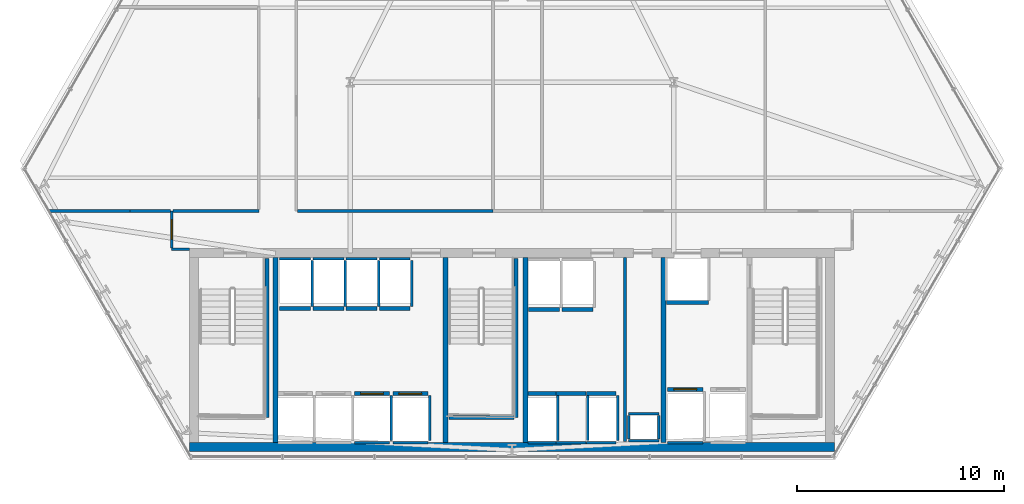
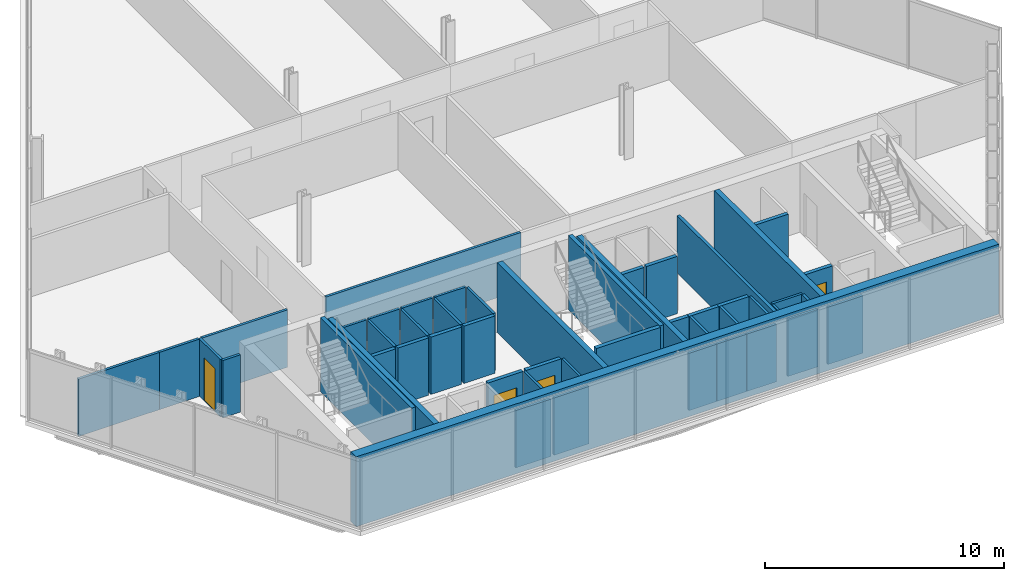
# One storey, part 27 of 32: 51 walls, 4 doors, 4 openings.
"""IFC4 building model written with IfcOpenShell, lengths in metres."""

from ifc_helpers import new_model, si_unit, direction, frame, frame_2d, origin, place, context, subcontext, project, spatial, rectangle, extrude, material, layer, layer_set, type_object, element, fill, save


model = new_model("IFC4")

# Units and contexts
model_context = context("Model", 3, precision=1e-05, world=origin(), true_north=direction((0.0, 1.0)))
body_context = subcontext(model_context, "Body", "Model", "MODEL_VIEW")
ifc_project = project(units=[si_unit("LENGTHUNIT", "METRE"), si_unit("AREAUNIT", "SQUARE_METRE"), si_unit("VOLUMEUNIT", "CUBIC_METRE"), si_unit("PLANEANGLEUNIT", "RADIAN"), si_unit("MASSUNIT", "GRAM", prefix="KILO")], contexts=[model_context])

# Site, building, storey
site_placement = place(None, origin())
site = spatial("IfcSite", under=ifc_project, at=site_placement, CompositionType="ELEMENT")
building_placement = place(site_placement, origin())
building = spatial("IfcBuilding", under=site, at=building_placement, Name="Ndaravel Arena Tower", CompositionType="ELEMENT")
storey_placement = place(building_placement, frame((0.0, 0.0, 47.39990234375)))
storey = spatial("IfcBuildingStorey", under=building, at=storey_placement, Name="L09", CompositionType="ELEMENT", Elevation=47.39990234375)

# Walls
ifc_material_1 = material(Name="Gypsum", Category="gypsum")
ifc_layer_1 = layer(ifc_material_1, 0.14990234375)
ifc_layer_set_1 = layer_set([ifc_layer_1], Name="Gypsum")
wall_type_1 = type_object("IfcWallType", Name="WALL-COMP-150", PredefinedType="PARTITIONING", material=ifc_layer_set_1)
wall_1_placement = place(storey_placement, frame((47.449951171875, 5.89990234375, 0.0), z_axis=(0.0, 0.0, 1.0), x_axis=(0.0, 1.0, 0.0)))
element("IfcWall", 1, at=wall_1_placement, inside=storey, type_object=wall_type_1, Name="L09 Core Riser Bay Partition", PredefinedType="PARTITIONING", context=body_context, shape_type="SweptSolid", body=[
    extrude(rectangle(XDim=8.85009765625, YDim=0.14990234375, at=frame_2d((4.425048828125, 0.0))), origin(), (0.0, 0.0, 1.0), 2.932861328125),
])
ifc_material_2 = material(Name="Concrete C60/75", Category="concrete")
ifc_layer_2 = layer(ifc_material_2, 0.25)
ifc_layer_set_2 = layer_set([ifc_layer_2], Name="Concrete C60/75")
wall_type_2 = type_object("IfcWallType", Name="WALL-CORE-250", PredefinedType="SOLIDWALL", material=ifc_layer_set_2)
for number, where, z_axis, x_axis, name in (
    (2, (30.60009765625, 5.85009765625, 0.0), (0.0, 0.0, 1.0), (0.0, 1.0, 0.0), "L09 Core Web Shear Wall 1"),
    (3, (38.800048828125, 5.85009765625, 0.0), (0.0, 0.0, 1.0), (0.0, 1.0, 0.0), "L09 Core Web Shear Wall 2"),
    (4, (42.64990234375, 5.85009765625, 0.0), (0.0, 0.0, 1.0), (0.0, 1.0, 0.0), "L09 Core Web Shear Wall 3"),
    (5, (49.300048828125, 5.85009765625, 0.0), (0.0, 0.0, 1.0), (0.0, 1.0, 0.0), "L09 Core Web Shear Wall 4"),
):
    element("IfcWall", number, at=place(storey_placement, frame(where, z_axis=z_axis, x_axis=x_axis)), inside=storey, type_object=wall_type_2, Name=name, PredefinedType="SOLIDWALL", context=body_context, shape_type="SweptSolid", body=[
        extrude(rectangle(XDim=8.89990234375, YDim=0.25, at=frame_2d((4.449951171875, 0.0))), origin(), (0.0, 0.0, 1.0), 3.580078125),
    ])
ifc_material_3 = material(Name="Concrete C60/75", Category="concrete")
ifc_layer_3 = layer(ifc_material_3, 0.449951171875)
ifc_layer_set_3 = layer_set([ifc_layer_3], Name="Concrete C60/75")
wall_type_3 = type_object("IfcWallType", Name="WALL-CORE-450", PredefinedType="SOLIDWALL", material=ifc_layer_set_3)
wall_2_placement = place(storey_placement, frame((26.449951171875, 5.625, 0.0), z_axis=(0.0, 0.0, 1.0), x_axis=(1.0, 0.0, 0.0)))
element("IfcWall", 6, at=wall_2_placement, inside=storey, type_object=wall_type_3, Name="L09 Core South Shear Wall", PredefinedType="SOLIDWALL", context=body_context, shape_type="SweptSolid", body=[
    extrude(rectangle(XDim=31.10009765625, YDim=0.449951171875, at=frame_2d((15.550048828125, 0.0))), origin(), (0.0, 0.0, 1.0), 3.580078125),
])
ifc_material_4 = material(Name="Gypsum", Category="gypsum")
ifc_layer_4 = layer(ifc_material_4, 0.125)
ifc_layer_set_4 = layer_set([ifc_layer_4], Name="Gypsum")
wall_type_4 = type_object("IfcWallType", Name="WALL-PART-125", PredefinedType="PARTITIONING", material=ifc_layer_set_4)
wall_3_placement = place(storey_placement, frame((26.449951171875, 15.14990234375, 0.0), z_axis=(0.0, 0.0, 1.0), x_axis=(-1.0, 0.0, 0.0)))
element("IfcWall", 7, at=wall_3_placement, inside=storey, type_object=wall_type_4, Name="L09 Interior Partition 003", PredefinedType="PARTITIONING", context=body_context, shape_type="SweptSolid", body=[
    extrude(rectangle(XDim=0.849853515625, YDim=0.125, at=frame_2d((0.4248046875, 0.0))), origin(), (0.0, 0.0, 1.0), 2.932861328125),
])

# Wall, opening, door
wall_4_placement = place(storey_placement, frame((25.60009765625, 15.215087890625, 0.0), z_axis=(0.0, 0.0, 1.0), x_axis=(0.0, 1.0, 0.0)))
wall_4 = element("IfcWall", 8, at=wall_4_placement, inside=storey, type_object=wall_type_4, Name="L09 Interior Partition 004", PredefinedType="PARTITIONING", context=body_context, shape_type="SweptSolid", body=[
    extrude(rectangle(XDim=1.784912109375, YDim=0.125, at=frame_2d((0.892578125, 0.0))), origin(), (0.0, 0.0, 1.0), 2.932861328125),
])
opening_1_placement = place(wall_4_placement, frame((0.41748046875, 0.0, 0.0)))
opening_1 = element("IfcOpeningElement", 9, at=opening_1_placement, cuts=wall_4, Name="Opening ID-01", PredefinedType="OPENING", context=body_context, shape_type="SweptSolid", body=[
    extrude(rectangle(XDim=0.949951171875, YDim=2.199951171875, at=frame_2d((0.47509765625, 1.10009765625))), frame((0.0, 0.0625, 0.0), z_axis=(0.0, -1.0, 0.0), x_axis=(1.0, 0.0, 0.0)), (0.0, 0.0, 1.0), 0.125),
])
ifc_material_5 = material(Name="Timber", Category="wood")
door_type_1 = type_object("IfcDoorType", Name="DT-03-OFFICE-950", OperationType="SINGLE_SWING_LEFT", PredefinedType="DOOR", material=ifc_material_5)
door_1_placement = place(opening_1_placement, origin())
door_1 = element("IfcDoor", 10, at=door_1_placement, inside=storey, type_object=door_type_1, Name="L09 Open Plan Workplace Door", OperationType="SINGLE_SWING_RIGHT", OverallHeight=2.199951171875, OverallWidth=0.949951171875, PredefinedType="DOOR", context=body_context, shape_type="SweptSolid", body=[
    extrude(rectangle(XDim=0.949951171875, YDim=2.199951171875, at=frame_2d((0.47509765625, 1.10009765625))), frame((0.0, 0.02490234375, 0.0), z_axis=(0.0, -1.0, 0.0), x_axis=(1.0, 0.0, 0.0)), (0.0, 0.0, 1.0), 0.050048828125),
])
fill(opening_1, door_1)

# Walls
wall_5_placement = place(storey_placement, frame((25.6650390625, 17.0, 0.0), z_axis=(0.0, 0.0, 1.0), x_axis=(1.0, 0.0, 0.0)))
element("IfcWall", 11, at=wall_5_placement, inside=storey, type_object=wall_type_4, Name="L09 Interior Partition 005", PredefinedType="PARTITIONING", context=body_context, shape_type="SweptSolid", body=[
    extrude(rectangle(XDim=4.135009765625, YDim=0.125, at=frame_2d((2.0673828125, 0.0))), origin(), (0.0, 0.0, 1.0), 2.932861328125),
])
wall_6_placement = place(storey_placement, frame((31.6650390625, 17.0, 0.0), z_axis=(0.0, 0.0, 1.0), x_axis=(1.0, 0.0, 0.0)))
element("IfcWall", 12, at=wall_6_placement, inside=storey, type_object=wall_type_4, Name="L09 Interior Partition 018", PredefinedType="PARTITIONING", context=body_context, shape_type="SweptSolid", body=[
    extrude(rectangle(XDim=9.427001953125, YDim=0.125, at=frame_2d((4.71337890625, 0.0))), origin(), (0.0, 0.0, 1.0), 2.932861328125),
])
wall_7_placement = place(storey_placement, frame((19.684326171875, 17.0, 0.0), z_axis=(0.0, 0.0, 1.0), x_axis=(1.0, 0.0, 0.0)))
element("IfcWall", 13, at=wall_7_placement, inside=storey, type_object=wall_type_4, Name="L09 Interior Partition 022", PredefinedType="PARTITIONING", context=body_context, shape_type="SweptSolid", body=[
    extrude(rectangle(XDim=3.915771484375, YDim=0.125, at=frame_2d((1.9580078125, 0.0))), origin(), (0.0, 0.0, 1.0), 2.932861328125),
])
wall_8_placement = place(storey_placement, frame((23.60009765625, 17.0, 0.0), z_axis=(0.0, 0.0, 1.0), x_axis=(1.0, 0.0, 0.0)))
element("IfcWall", 14, at=wall_8_placement, inside=storey, type_object=wall_type_4, Name="L09 Interior Partition 023", PredefinedType="PARTITIONING", context=body_context, shape_type="SweptSolid", body=[
    extrude(rectangle(XDim=1.934814453125, YDim=0.125, at=frame_2d((0.96728515625, 0.0))), origin(), (0.0, 0.0, 1.0), 2.932861328125),
])
ifc_material_6 = material(Name="Concrete C40/50", Category="concrete")
ifc_layer_5 = layer(ifc_material_6, 0.1201171875)
ifc_layer_set_5 = layer_set([ifc_layer_5], Name="Concrete C40/50")
wall_type_5 = type_object("IfcWallType", Name="WALL-SHAFT-120", PredefinedType="SOLIDWALL", material=ifc_layer_set_5)
for number, where, z_axis, x_axis, name in (
    (15, (47.6201171875, 5.919921875, 0.0), (0.0, 0.0, 1.0), (1.0, 0.0, 0.0), "L09 MEP Riser Shaft S Wall"),
    (16, (47.6201171875, 7.219970703125, 0.0), (0.0, 0.0, 1.0), (1.0, 0.0, 0.0), "L09 MEP Riser Shaft N Wall"),
):
    element("IfcWall", number, at=place(storey_placement, frame(where, z_axis=z_axis, x_axis=x_axis)), inside=storey, type_object=wall_type_5, Name=name, PredefinedType="SOLIDWALL", context=body_context, shape_type="SweptSolid", body=[
        extrude(rectangle(XDim=1.4599609375, YDim=0.1201171875, at=frame_2d((0.72998046875, 0.0))), origin(), (0.0, 0.0, 1.0), 2.932861328125),
    ])
for number, where, z_axis, x_axis, name in (
    (17, (47.6201171875, 6.0, 0.0), (0.0, 0.0, 1.0), (0.0, 1.0, 0.0), "L09 MEP Riser Shaft W Wall"),
    (18, (49.080078125, 6.0, 0.0), (0.0, 0.0, 1.0), (0.0, 1.0, 0.0), "L09 MEP Riser Shaft E Wall"),
):
    element("IfcWall", number, at=place(storey_placement, frame(where, z_axis=z_axis, x_axis=x_axis)), inside=storey, type_object=wall_type_5, Name=name, PredefinedType="SOLIDWALL", context=body_context, shape_type="SweptSolid", body=[
        extrude(rectangle(XDim=1.139892578125, YDim=0.1201171875, at=frame_2d((0.56982421875, 0.0))), origin(), (0.0, 0.0, 1.0), 2.932861328125),
    ])
wall_9_placement = place(storey_placement, frame((34.405029296875, 5.840087890625, 0.0), z_axis=(0.0, 0.0, 1.0), x_axis=(1.0, 0.0, 0.0)))
element("IfcWall", 19, at=wall_9_placement, inside=storey, type_object=wall_type_5, Name="L09 PL-L3 Shaft Rear Wall", PredefinedType="SOLIDWALL", context=body_context, shape_type="SweptSolid", body=[
    extrude(rectangle(XDim=1.68994140625, YDim=0.1201171875, at=frame_2d((0.844970703125, 0.0))), origin(), (0.0, 0.0, 1.0), 2.932861328125),
])
wall_10_placement = place(storey_placement, frame((36.175048828125, 5.929931640625, 0.0), z_axis=(0.0, 0.0, 1.0), x_axis=(0.0, 1.0, 0.0)))
element("IfcWall", 20, at=wall_10_placement, inside=storey, type_object=wall_type_5, Name="L09 PL-L3 Shaft Side R Wall", PredefinedType="SOLIDWALL", context=body_context, shape_type="SweptSolid", body=[
    extrude(rectangle(XDim=2.18017578125, YDim=0.1201171875, at=frame_2d((1.090087890625, 0.0))), origin(), (0.0, 0.0, 1.0), 2.932861328125),
])
wall_11_placement = place(storey_placement, frame((36.2548828125, 5.840087890625, 0.0), z_axis=(0.0, 0.0, 1.0), x_axis=(1.0, 0.0, 0.0)))
element("IfcWall", 21, at=wall_11_placement, inside=storey, type_object=wall_type_5, Name="L09 PL-L4 Shaft Rear Wall", PredefinedType="SOLIDWALL", context=body_context, shape_type="SweptSolid", body=[
    extrude(rectangle(XDim=1.690185546875, YDim=0.1201171875, at=frame_2d((0.84521484375, 0.0))), origin(), (0.0, 0.0, 1.0), 2.932861328125),
])
wall_12_placement = place(storey_placement, frame((38.02490234375, 5.929931640625, 0.0), z_axis=(0.0, 0.0, 1.0), x_axis=(0.0, 1.0, 0.0)))
element("IfcWall", 22, at=wall_12_placement, inside=storey, type_object=wall_type_5, Name="L09 PL-L4 Shaft Side R Wall", PredefinedType="SOLIDWALL", context=body_context, shape_type="SweptSolid", body=[
    extrude(rectangle(XDim=2.18017578125, YDim=0.1201171875, at=frame_2d((1.090087890625, 0.0))), origin(), (0.0, 0.0, 1.0), 2.932861328125),
])
wall_13_placement = place(storey_placement, frame((30.804931640625, 14.7099609375, 0.0), z_axis=(0.0, 0.0, 1.0), x_axis=(1.0, 0.0, 0.0)))
element("IfcWall", 23, at=wall_13_placement, inside=storey, type_object=wall_type_5, Name="L09 PL-M1 Shaft Rear Wall", PredefinedType="SOLIDWALL", context=body_context, shape_type="SweptSolid", body=[
    extrude(rectangle(XDim=1.489990234375, YDim=0.1201171875, at=frame_2d((0.7451171875, 0.0))), origin(), (0.0, 0.0, 1.0), 2.932861328125),
])
wall_14_placement = place(storey_placement, frame((32.375, 12.389892578125, 0.0), z_axis=(0.0, 0.0, 1.0), x_axis=(0.0, 1.0, 0.0)))
element("IfcWall", 24, at=wall_14_placement, inside=storey, type_object=wall_type_5, Name="L09 PL-M1 Shaft Side R Wall", PredefinedType="SOLIDWALL", context=body_context, shape_type="SweptSolid", body=[
    extrude(rectangle(XDim=2.230224609375, YDim=0.1201171875, at=frame_2d((1.115234375, 0.0))), origin(), (0.0, 0.0, 1.0), 2.932861328125),
])
wall_15_placement = place(storey_placement, frame((32.405029296875, 14.7099609375, 0.0), z_axis=(0.0, 0.0, 1.0), x_axis=(1.0, 0.0, 0.0)))
element("IfcWall", 25, at=wall_15_placement, inside=storey, type_object=wall_type_5, Name="L09 PL-M2 Shaft Rear Wall", PredefinedType="SOLIDWALL", context=body_context, shape_type="SweptSolid", body=[
    extrude(rectangle(XDim=1.489990234375, YDim=0.1201171875, at=frame_2d((0.7451171875, 0.0))), origin(), (0.0, 0.0, 1.0), 2.932861328125),
])
wall_16_placement = place(storey_placement, frame((33.97509765625, 12.389892578125, 0.0), z_axis=(0.0, 0.0, 1.0), x_axis=(0.0, 1.0, 0.0)))
element("IfcWall", 26, at=wall_16_placement, inside=storey, type_object=wall_type_5, Name="L09 PL-M2 Shaft Side R Wall", PredefinedType="SOLIDWALL", context=body_context, shape_type="SweptSolid", body=[
    extrude(rectangle(XDim=2.230224609375, YDim=0.1201171875, at=frame_2d((1.115234375, 0.0))), origin(), (0.0, 0.0, 1.0), 2.932861328125),
])
wall_17_placement = place(storey_placement, frame((34.0048828125, 14.7099609375, 0.0), z_axis=(0.0, 0.0, 1.0), x_axis=(1.0, 0.0, 0.0)))
element("IfcWall", 27, at=wall_17_placement, inside=storey, type_object=wall_type_5, Name="L09 PL-M3 Shaft Rear Wall", PredefinedType="SOLIDWALL", context=body_context, shape_type="SweptSolid", body=[
    extrude(rectangle(XDim=1.490234375, YDim=0.1201171875, at=frame_2d((0.7451171875, 0.0))), origin(), (0.0, 0.0, 1.0), 2.932861328125),
])
wall_18_placement = place(storey_placement, frame((35.574951171875, 12.389892578125, 0.0), z_axis=(0.0, 0.0, 1.0), x_axis=(0.0, 1.0, 0.0)))
element("IfcWall", 28, at=wall_18_placement, inside=storey, type_object=wall_type_5, Name="L09 PL-M3 Shaft Side R Wall", PredefinedType="SOLIDWALL", context=body_context, shape_type="SweptSolid", body=[
    extrude(rectangle(XDim=2.230224609375, YDim=0.1201171875, at=frame_2d((1.115234375, 0.0))), origin(), (0.0, 0.0, 1.0), 2.932861328125),
])
wall_19_placement = place(storey_placement, frame((35.60498046875, 14.7099609375, 0.0), z_axis=(0.0, 0.0, 1.0), x_axis=(1.0, 0.0, 0.0)))
element("IfcWall", 29, at=wall_19_placement, inside=storey, type_object=wall_type_5, Name="L09 PL-M4 Shaft Rear Wall", PredefinedType="SOLIDWALL", context=body_context, shape_type="SweptSolid", body=[
    extrude(rectangle(XDim=1.489990234375, YDim=0.1201171875, at=frame_2d((0.7451171875, 0.0))), origin(), (0.0, 0.0, 1.0), 2.932861328125),
])
wall_20_placement = place(storey_placement, frame((37.175048828125, 12.389892578125, 0.0), z_axis=(0.0, 0.0, 1.0), x_axis=(0.0, 1.0, 0.0)))
element("IfcWall", 30, at=wall_20_placement, inside=storey, type_object=wall_type_5, Name="L09 PL-M4 Shaft Side R Wall", PredefinedType="SOLIDWALL", context=body_context, shape_type="SweptSolid", body=[
    extrude(rectangle(XDim=2.230224609375, YDim=0.1201171875, at=frame_2d((1.115234375, 0.0))), origin(), (0.0, 0.0, 1.0), 2.932861328125),
])
wall_21_placement = place(storey_placement, frame((42.780029296875, 5.840087890625, 0.0), z_axis=(0.0, 0.0, 1.0), x_axis=(1.0, 0.0, 0.0)))
element("IfcWall", 31, at=wall_21_placement, inside=storey, type_object=wall_type_5, Name="L09 PL-H1 Shaft Rear Wall", PredefinedType="SOLIDWALL", context=body_context, shape_type="SweptSolid", body=[
    extrude(rectangle(XDim=1.340087890625, YDim=0.1201171875, at=frame_2d((0.669921875, 0.0))), origin(), (0.0, 0.0, 1.0), 2.932861328125),
])
wall_22_placement = place(storey_placement, frame((44.199951171875, 5.929931640625, 0.0), z_axis=(0.0, 0.0, 1.0), x_axis=(0.0, 1.0, 0.0)))
element("IfcWall", 32, at=wall_22_placement, inside=storey, type_object=wall_type_5, Name="L09 PL-H1 Shaft Side R Wall", PredefinedType="SOLIDWALL", context=body_context, shape_type="SweptSolid", body=[
    extrude(rectangle(XDim=2.18017578125, YDim=0.1201171875, at=frame_2d((1.090087890625, 0.0))), origin(), (0.0, 0.0, 1.0), 2.932861328125),
])
wall_23_placement = place(storey_placement, frame((44.1298828125, 5.840087890625, 0.0), z_axis=(0.0, 0.0, 1.0), x_axis=(1.0, 0.0, 0.0)))
element("IfcWall", 33, at=wall_23_placement, inside=storey, type_object=wall_type_5, Name="L09 PL-H2 Shaft Rear Wall", PredefinedType="SOLIDWALL", context=body_context, shape_type="SweptSolid", body=[
    extrude(rectangle(XDim=1.440185546875, YDim=0.1201171875, at=frame_2d((0.72021484375, 0.0))), origin(), (0.0, 0.0, 1.0), 2.932861328125),
])
wall_24_placement = place(storey_placement, frame((45.64990234375, 5.929931640625, 0.0), z_axis=(0.0, 0.0, 1.0), x_axis=(0.0, 1.0, 0.0)))
element("IfcWall", 34, at=wall_24_placement, inside=storey, type_object=wall_type_5, Name="L09 PL-H2 Shaft Side R Wall", PredefinedType="SOLIDWALL", context=body_context, shape_type="SweptSolid", body=[
    extrude(rectangle(XDim=2.18017578125, YDim=0.1201171875, at=frame_2d((1.090087890625, 0.0))), origin(), (0.0, 0.0, 1.0), 2.932861328125),
])
wall_25_placement = place(storey_placement, frame((45.580078125, 5.840087890625, 0.0), z_axis=(0.0, 0.0, 1.0), x_axis=(1.0, 0.0, 0.0)))
element("IfcWall", 35, at=wall_25_placement, inside=storey, type_object=wall_type_5, Name="L09 PL-H3 Shaft Rear Wall", PredefinedType="SOLIDWALL", context=body_context, shape_type="SweptSolid", body=[
    extrude(rectangle(XDim=1.43994140625, YDim=0.1201171875, at=frame_2d((0.719970703125, 0.0))), origin(), (0.0, 0.0, 1.0), 2.932861328125),
])
wall_26_placement = place(storey_placement, frame((47.10009765625, 5.929931640625, 0.0), z_axis=(0.0, 0.0, 1.0), x_axis=(0.0, 1.0, 0.0)))
element("IfcWall", 36, at=wall_26_placement, inside=storey, type_object=wall_type_5, Name="L09 PL-H3 Shaft Side R Wall", PredefinedType="SOLIDWALL", context=body_context, shape_type="SweptSolid", body=[
    extrude(rectangle(XDim=2.18017578125, YDim=0.1201171875, at=frame_2d((1.090087890625, 0.0))), origin(), (0.0, 0.0, 1.0), 2.932861328125),
])
wall_27_placement = place(storey_placement, frame((49.5048828125, 5.840087890625, 0.0), z_axis=(0.0, 0.0, 1.0), x_axis=(1.0, 0.0, 0.0)))
element("IfcWall", 37, at=wall_27_placement, inside=storey, type_object=wall_type_5, Name="L09 FFL-1 Shaft Rear Wall", PredefinedType="SOLIDWALL", context=body_context, shape_type="SweptSolid", body=[
    extrude(rectangle(XDim=1.690185546875, YDim=0.1201171875, at=frame_2d((0.84521484375, 0.0))), origin(), (0.0, 0.0, 1.0), 2.932861328125),
])
ifc_material_7 = material(Name="Concrete C40/50", Category="concrete")
ifc_layer_6 = layer(ifc_material_7, 0.199951171875)
ifc_layer_set_6 = layer_set([ifc_layer_6], Name="Concrete C40/50")
wall_type_6 = type_object("IfcWallType", Name="WALL-SHAFT-200", PredefinedType="SOLIDWALL", material=ifc_layer_set_6)
for number, where, z_axis, x_axis, name in (
    (38, (30.18994140625, 14.699951171875, 0.0), (0.0, 0.0, 1.0), (0.0, -1.0, 0.0), "L09 ST-1 Structural Shaft Wall Right"),
    (39, (42.18994140625, 14.699951171875, 0.0), (0.0, 0.0, 1.0), (0.0, -1.0, 0.0), "L09 ST-2 Structural Shaft Wall Right"),
):
    element("IfcWall", number, at=place(storey_placement, frame(where, z_axis=z_axis, x_axis=x_axis)), inside=storey, type_object=wall_type_6, Name=name, PredefinedType="SOLIDWALL", context=body_context, shape_type="SweptSolid", body=[
        extrude(rectangle(XDim=7.64990234375, YDim=0.199951171875, at=frame_2d((3.824951171875, 0.0))), origin(), (0.0, 0.0, 1.0), 3.800048828125),
    ])
wall_28_placement = place(storey_placement, frame((38.969970703125, 7.050048828125, 0.0), z_axis=(0.0, 0.0, 1.0), x_axis=(1.0, 0.0, 0.0)))
element("IfcWall", 40, at=wall_28_placement, inside=storey, type_object=wall_type_6, Name="L09 ST-2 Structural Shaft Wall Far", PredefinedType="SOLIDWALL", context=body_context, shape_type="SweptSolid", body=[
    extrude(rectangle(XDim=3.114990234375, YDim=0.199951171875, at=frame_2d((1.5576171875, 0.0))), origin(), (0.0, 0.0, 1.0), 3.800048828125),
])

# Wall, opening, door
wall_29_placement = place(storey_placement, frame((34.405029296875, 8.199951171875, 0.0), z_axis=(0.0, 0.0, 1.0), x_axis=(1.0, 0.0, 0.0)))
wall_29 = element("IfcWall", 41, at=wall_29_placement, inside=storey, type_object=wall_type_6, Name="L09 PL-L3 Shaft Landing Wall", PredefinedType="SOLIDWALL", context=body_context, shape_type="SweptSolid", body=[
    extrude(rectangle(XDim=1.68994140625, YDim=0.179931640625, at=frame_2d((0.844970703125, 0.0))), origin(), (0.0, 0.0, 1.0), 2.932861328125),
])
opening_2_placement = place(wall_29_placement, frame((0.294921875, 0.0, 0.0)))
opening_2 = element("IfcOpeningElement", 42, at=opening_2_placement, cuts=wall_29, Name="Opening LD-01", PredefinedType="OPENING", context=body_context, shape_type="SweptSolid", body=[
    extrude(rectangle(XDim=1.10009765625, YDim=2.199951171875, at=frame_2d((0.550048828125, 1.10009765625))), frame((0.0, 0.08984375, 0.0), z_axis=(0.0, -1.0, 0.0), x_axis=(1.0, 0.0, 0.0)), (0.0, 0.0, 1.0), 0.179931640625),
])
ifc_material_8 = material(Name="Steel S355", Category="steel")
door_type_2 = type_object("IfcDoorType", Name="DT-06-LIFT-1100", OperationType="SLIDING_TO_LEFT", PredefinedType="DOOR", material=ifc_material_8)
door_2_placement = place(opening_2_placement, origin())
door_2 = element("IfcDoor", 43, at=door_2_placement, inside=storey, type_object=door_type_2, Name="L09 Lift PL-L3 Sliding Landing Door", OperationType="SLIDING_TO_LEFT", OverallHeight=2.199951171875, OverallWidth=1.10009765625, PredefinedType="DOOR", context=body_context, shape_type="SweptSolid", body=[
    extrude(rectangle(XDim=1.10009765625, YDim=2.199951171875, at=frame_2d((0.550048828125, 1.10009765625))), frame((0.0, 0.02490234375, 0.0), z_axis=(0.0, -1.0, 0.0), x_axis=(1.0, 0.0, 0.0)), (0.0, 0.0, 1.0), 0.050048828125),
])
fill(opening_2, door_2)

wall_30_placement = place(storey_placement, frame((36.2548828125, 8.199951171875, 0.0), z_axis=(0.0, 0.0, 1.0), x_axis=(1.0, 0.0, 0.0)))
wall_30 = element("IfcWall", 44, at=wall_30_placement, inside=storey, type_object=wall_type_6, Name="L09 PL-L4 Shaft Landing Wall", PredefinedType="SOLIDWALL", context=body_context, shape_type="SweptSolid", body=[
    extrude(rectangle(XDim=1.690185546875, YDim=0.179931640625, at=frame_2d((0.84521484375, 0.0))), origin(), (0.0, 0.0, 1.0), 2.932861328125),
])
opening_3_placement = place(wall_30_placement, frame((0.294921875, 0.0, 0.0)))
opening_3 = element("IfcOpeningElement", 45, at=opening_3_placement, cuts=wall_30, Name="Opening LD-01", PredefinedType="OPENING", context=body_context, shape_type="SweptSolid", body=[
    extrude(rectangle(XDim=1.10009765625, YDim=2.199951171875, at=frame_2d((0.550048828125, 1.10009765625))), frame((0.0, 0.08984375, 0.0), z_axis=(0.0, -1.0, 0.0), x_axis=(1.0, 0.0, 0.0)), (0.0, 0.0, 1.0), 0.179931640625),
])
door_3_placement = place(opening_3_placement, origin())
door_3 = element("IfcDoor", 46, at=door_3_placement, inside=storey, type_object=door_type_2, Name="L09 Lift PL-L4 Sliding Landing Door", OperationType="SLIDING_TO_LEFT", OverallHeight=2.199951171875, OverallWidth=1.10009765625, PredefinedType="DOOR", context=body_context, shape_type="SweptSolid", body=[
    extrude(rectangle(XDim=1.10009765625, YDim=2.199951171875, at=frame_2d((0.550048828125, 1.10009765625))), frame((0.0, 0.02490234375, 0.0), z_axis=(0.0, -1.0, 0.0), x_axis=(1.0, 0.0, 0.0)), (0.0, 0.0, 1.0), 0.050048828125),
])
fill(opening_3, door_3)

# Walls
for number, where, z_axis, x_axis, name in (
    (47, (30.804931640625, 12.300048828125, 0.0), (0.0, 0.0, 1.0), (1.0, 0.0, 0.0), "L09 PL-M1 Shaft Landing Wall"),
    (48, (32.405029296875, 12.300048828125, 0.0), (0.0, 0.0, 1.0), (1.0, 0.0, 0.0), "L09 PL-M2 Shaft Landing Wall"),
):
    element("IfcWall", number, at=place(storey_placement, frame(where, z_axis=z_axis, x_axis=x_axis)), inside=storey, type_object=wall_type_6, Name=name, PredefinedType="SOLIDWALL", context=body_context, shape_type="SweptSolid", body=[
        extrude(rectangle(XDim=1.489990234375, YDim=0.179931640625, at=frame_2d((0.7451171875, 0.0))), origin(), (0.0, 0.0, 1.0), 2.932861328125),
    ])
wall_31_placement = place(storey_placement, frame((34.0048828125, 12.300048828125, 0.0), z_axis=(0.0, 0.0, 1.0), x_axis=(1.0, 0.0, 0.0)))
element("IfcWall", 49, at=wall_31_placement, inside=storey, type_object=wall_type_6, Name="L09 PL-M3 Shaft Landing Wall", PredefinedType="SOLIDWALL", context=body_context, shape_type="SweptSolid", body=[
    extrude(rectangle(XDim=1.490234375, YDim=0.179931640625, at=frame_2d((0.7451171875, 0.0))), origin(), (0.0, 0.0, 1.0), 2.932861328125),
])
wall_32_placement = place(storey_placement, frame((35.60498046875, 12.300048828125, 0.0), z_axis=(0.0, 0.0, 1.0), x_axis=(1.0, 0.0, 0.0)))
element("IfcWall", 50, at=wall_32_placement, inside=storey, type_object=wall_type_6, Name="L09 PL-M4 Shaft Landing Wall", PredefinedType="SOLIDWALL", context=body_context, shape_type="SweptSolid", body=[
    extrude(rectangle(XDim=1.489990234375, YDim=0.179931640625, at=frame_2d((0.7451171875, 0.0))), origin(), (0.0, 0.0, 1.0), 2.932861328125),
])
wall_33_placement = place(storey_placement, frame((42.780029296875, 8.199951171875, 0.0), z_axis=(0.0, 0.0, 1.0), x_axis=(1.0, 0.0, 0.0)))
element("IfcWall", 51, at=wall_33_placement, inside=storey, type_object=wall_type_6, Name="L09 PL-H1 Shaft Landing Wall", PredefinedType="SOLIDWALL", context=body_context, shape_type="SweptSolid", body=[
    extrude(rectangle(XDim=1.340087890625, YDim=0.179931640625, at=frame_2d((0.669921875, 0.0))), origin(), (0.0, 0.0, 1.0), 2.932861328125),
])
wall_34_placement = place(storey_placement, frame((44.1298828125, 8.199951171875, 0.0), z_axis=(0.0, 0.0, 1.0), x_axis=(1.0, 0.0, 0.0)))
element("IfcWall", 52, at=wall_34_placement, inside=storey, type_object=wall_type_6, Name="L09 PL-H2 Shaft Landing Wall", PredefinedType="SOLIDWALL", context=body_context, shape_type="SweptSolid", body=[
    extrude(rectangle(XDim=1.440185546875, YDim=0.179931640625, at=frame_2d((0.72021484375, 0.0))), origin(), (0.0, 0.0, 1.0), 2.932861328125),
])
wall_35_placement = place(storey_placement, frame((45.580078125, 8.199951171875, 0.0), z_axis=(0.0, 0.0, 1.0), x_axis=(1.0, 0.0, 0.0)))
element("IfcWall", 53, at=wall_35_placement, inside=storey, type_object=wall_type_6, Name="L09 PL-H3 Shaft Landing Wall", PredefinedType="SOLIDWALL", context=body_context, shape_type="SweptSolid", body=[
    extrude(rectangle(XDim=1.43994140625, YDim=0.179931640625, at=frame_2d((0.719970703125, 0.0))), origin(), (0.0, 0.0, 1.0), 2.932861328125),
])
for number, where, z_axis, x_axis, name in (
    (54, (42.804931640625, 12.25, 0.0), (0.0, 0.0, 1.0), (1.0, 0.0, 0.0), "L09 PL-OBS1 Shaft Landing Wall"),
    (55, (44.405029296875, 12.25, 0.0), (0.0, 0.0, 1.0), (1.0, 0.0, 0.0), "L09 PL-OBS2 Shaft Landing Wall"),
):
    element("IfcWall", number, at=place(storey_placement, frame(where, z_axis=z_axis, x_axis=x_axis)), inside=storey, type_object=wall_type_6, Name=name, PredefinedType="SOLIDWALL", context=body_context, shape_type="SweptSolid", body=[
        extrude(rectangle(XDim=1.489990234375, YDim=0.179931640625, at=frame_2d((0.7451171875, 0.0))), origin(), (0.0, 0.0, 1.0), 2.932861328125),
    ])

# Wall, opening, door
wall_36_placement = place(storey_placement, frame((49.5048828125, 8.39990234375, 0.0), z_axis=(0.0, 0.0, 1.0), x_axis=(1.0, 0.0, 0.0)))
wall_36 = element("IfcWall", 56, at=wall_36_placement, inside=storey, type_object=wall_type_6, Name="L09 FFL-1 Shaft Landing Wall", PredefinedType="SOLIDWALL", context=body_context, shape_type="SweptSolid", body=[
    extrude(rectangle(XDim=1.690185546875, YDim=0.179931640625, at=frame_2d((0.84521484375, 0.0))), origin(), (0.0, 0.0, 1.0), 2.932861328125),
])
opening_4_placement = place(wall_36_placement, frame((0.294921875, 0.0, 0.0)))
opening_4 = element("IfcOpeningElement", 57, at=opening_4_placement, cuts=wall_36, Name="Opening LD-01", PredefinedType="OPENING", context=body_context, shape_type="SweptSolid", body=[
    extrude(rectangle(XDim=1.10009765625, YDim=2.199951171875, at=frame_2d((0.550048828125, 1.10009765625))), frame((0.0, 0.08984375, 0.0), z_axis=(0.0, -1.0, 0.0), x_axis=(1.0, 0.0, 0.0)), (0.0, 0.0, 1.0), 0.179931640625),
])
door_4_placement = place(opening_4_placement, origin())
door_4 = element("IfcDoor", 58, at=door_4_placement, inside=storey, type_object=door_type_2, Name="L09 Lift FFL-1 Sliding Landing Door", OperationType="SLIDING_TO_LEFT", OverallHeight=2.199951171875, OverallWidth=1.10009765625, PredefinedType="DOOR", context=body_context, shape_type="SweptSolid", body=[
    extrude(rectangle(XDim=1.10009765625, YDim=2.199951171875, at=frame_2d((0.550048828125, 1.10009765625))), frame((0.0, 0.02490234375, 0.0), z_axis=(0.0, -1.0, 0.0), x_axis=(1.0, 0.0, 0.0)), (0.0, 0.0, 1.0), 0.050048828125),
])
fill(opening_4, door_4)

# Wall
wall_37_placement = place(storey_placement, frame((49.43994140625, 12.594970703125, 0.0), z_axis=(0.0, 0.0, 1.0), x_axis=(1.0, 0.0, 0.0)))
element("IfcWall", 59, at=wall_37_placement, inside=storey, type_object=wall_type_6, Name="L09 SVL-1 Shaft South Wall", PredefinedType="SOLIDWALL", context=body_context, shape_type="SweptSolid", body=[
    extrude(rectangle(XDim=2.0400390625, YDim=0.179931640625, at=frame_2d((1.02001953125, 0.0))), origin(), (0.0, 0.0, 1.0), 2.932861328125),
])

save(model, "model.ifc")
